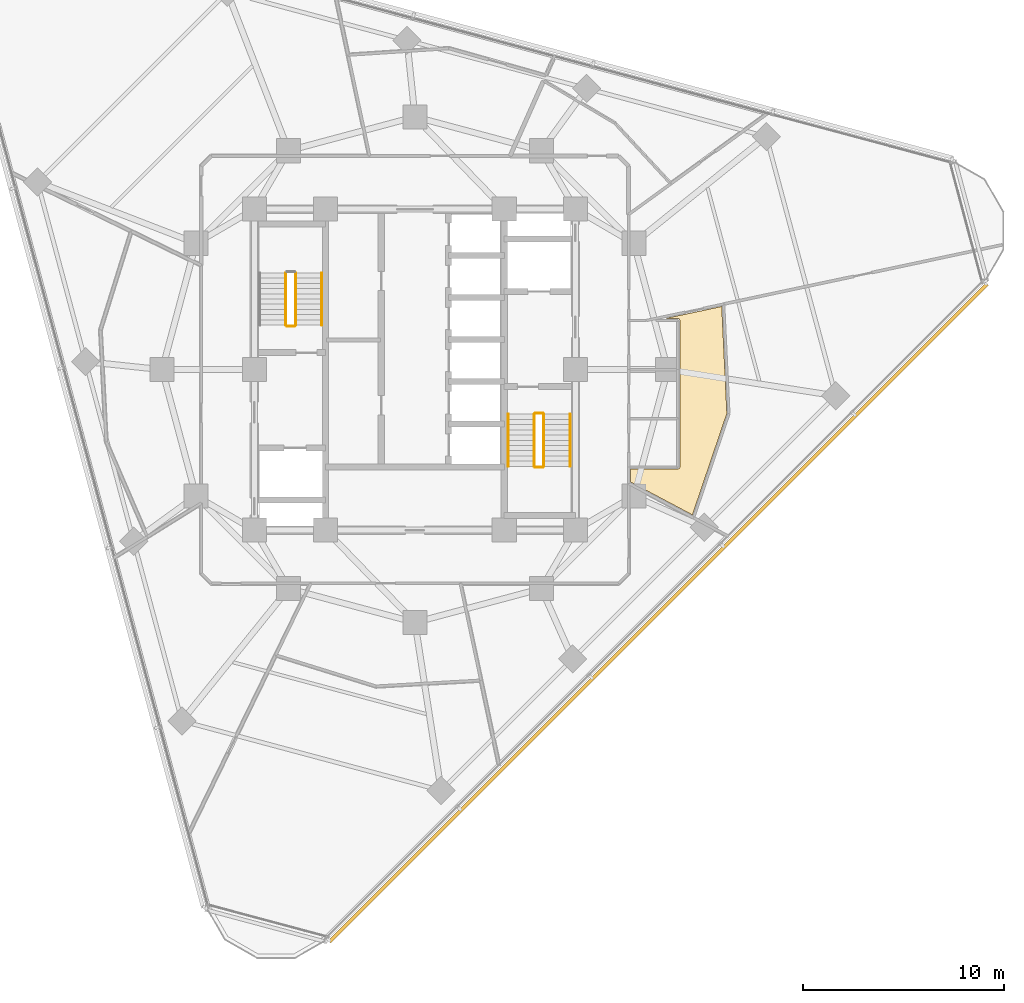
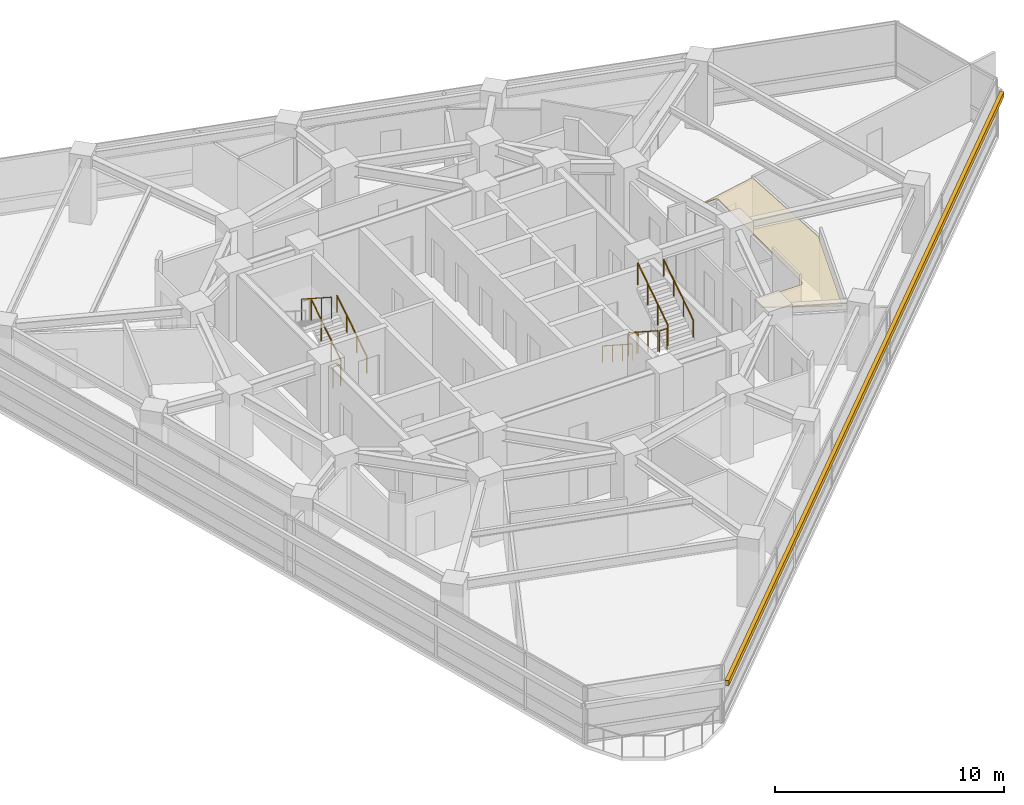
# One storey, part 12 of 14: 10 railings, 1 covering, 1 shading device.
"""IFC4 building model written with IfcOpenShell, lengths in metres."""

from ifc_helpers import new_model, si_unit, direction, frame, origin, origin_2d, place, context, subcontext, project, spatial, polyline, rectangle, circle, outline, extrude, material, layer, layer_set, type_object, element, save


model = new_model("IFC4")

# Units and contexts
model_context = context("Model", 3, precision=1e-05, world=origin(), true_north=direction((0.0, 1.0)))
body_context = subcontext(model_context, "Body", "Model", "MODEL_VIEW")
ifc_project = project(units=[si_unit("LENGTHUNIT", "METRE"), si_unit("AREAUNIT", "SQUARE_METRE"), si_unit("VOLUMEUNIT", "CUBIC_METRE"), si_unit("PLANEANGLEUNIT", "RADIAN"), si_unit("MASSUNIT", "GRAM", prefix="KILO")], contexts=[model_context])

# Site, building, storey
site_placement = place(None, origin())
site = spatial("IfcSite", under=ifc_project, at=site_placement, CompositionType="ELEMENT")
building_placement = place(site_placement, origin())
building = spatial("IfcBuilding", under=site, at=building_placement, Name="Terralouvre Media Tower", CompositionType="ELEMENT")
storey_placement = place(building_placement, frame((0.0, 0.0, 184.199951171875)))
storey = spatial("IfcBuildingStorey", under=building, at=storey_placement, Name="L47", CompositionType="ELEMENT", Elevation=184.199951171875)

# Covering
ifc_material_1 = material(Name="Perforated aluminium acoustic ceiling baffle", Category="aluminium")
ifc_layer_1 = layer(ifc_material_1, 0.0400390625, Name="Perforated Acoustic Metal Tile Ceiling CL-AC1")
ifc_layer_set_1 = layer_set([ifc_layer_1], Name="Perforated aluminium acoustic ceiling baffle")
covering_type = type_object("IfcCoveringType", Name="Perforated Acoustic Metal Tile Ceiling CL-AC1", PredefinedType="CEILING", material=ifc_layer_set_1)
covering_placement = place(storey_placement, frame((0.0, 0.0, 2.97998046875), z_axis=(0.0, 0.0, 1.0), x_axis=(0.707106781187, 0.707106781187, 0.0)))
element("IfcCovering", 1, at=covering_placement, inside=storey, type_object=covering_type, Name="L47 Artist Hospitality Kitchen 6 Acoustic Ceiling", PredefinedType="CEILING", context=body_context, shape_type="SweptSolid", body=[
    extrude(outline(polyline([(9.447265625, -12.537109375), (13.037109375, -8.585693359375), (10.6259765625, -7.019775390625), (11.066162109375, -7.4599609375), (11.07275390625, -7.46728515625), (11.07861328125, -7.47509765625), (11.083740234375, -7.483642578125), (11.087890625, -7.492431640625), (11.091064453125, -7.501708984375), (11.093505859375, -7.51123046875), (11.094970703125, -7.520751953125), (11.095458984375, -7.53076171875), (11.094970703125, -7.54052734375), (11.093505859375, -7.550048828125), (11.091064453125, -7.559814453125), (11.087890625, -7.56884765625), (11.083740234375, -7.577880859375), (11.07861328125, -7.586181640625), (11.07275390625, -7.593994140625), (11.066162109375, -7.601318359375), (5.904296875, -12.76318359375), (5.89697265625, -12.769775390625), (5.88916015625, -12.775634765625), (5.880859375, -12.78076171875), (5.871826171875, -12.784912109375), (5.86279296875, -12.788330078125), (5.85302734375, -12.79052734375), (5.843505859375, -12.7919921875), (5.833740234375, -12.79248046875), (5.82373046875, -12.7919921875), (5.814208984375, -12.79052734375), (5.8046875, -12.788330078125), (5.79541015625, -12.784912109375), (5.786376953125, -12.78076171875), (5.778076171875, -12.775634765625), (5.770263671875, -12.769775390625), (5.762939453125, -12.76318359375), (4.101318359375, -11.1015625), (3.6396484375, -11.563232421875), (4.65966796875, -14.897705078125), (9.447265625, -12.537109375)])), origin(), (0.0, 0.0, 1.0), 0.0400390625),
])

# Railings
ifc_material_2 = material(Name="Stainless steel 316 handrail and balustrade", Category="steel")
ifc_layer_2 = layer(ifc_material_2, 0.050048828125, Name="Stair Flight Wall Handrail HR-INT1")
ifc_layer_set_2 = layer_set([ifc_layer_2], Name="Stainless steel 316 handrail and balustrade")
railing_type_1 = type_object("IfcRailingType", Name="Stair Flight Wall Handrail HR-INT1", PredefinedType="HANDRAIL", material=ifc_layer_set_2)
railing_1_placement = place(storey_placement, frame((-4.64990234375, 2.219970703125, 0.168212890625)))
element("IfcRailing", 2, at=railing_1_placement, inside=storey, type_object=railing_type_1, Name="L47 ST-01 stair handrail 1", PredefinedType="HANDRAIL", context=body_context, shape_type="SweptSolid", body=[
    extrude(circle(Radius=0.02392578125, at=origin_2d()), frame((0.0, 0.0, 0.8759765625), z_axis=(0.0, 0.839648411786, 0.543130320075), x_axis=(-1.0, 0.0, 0.0)), (0.0, 0.0, 1.0), 3.0966796875),
    extrude(circle(Radius=0.02099609375, at=origin_2d()), origin(), (0.0, 0.0, 1.0), 0.851806640625),
    extrude(circle(Radius=0.02099609375, at=origin_2d()), frame((0.0, 0.86669921875, 0.560546875)), (0.0, 0.0, 1.0), 0.851806640625),
    extrude(circle(Radius=0.02099609375, at=origin_2d()), frame((0.0, 1.7333984375, 1.121337890625)), (0.0, 0.0, 1.0), 0.851806640625),
    extrude(circle(Radius=0.02099609375, at=origin_2d()), frame((0.0, 2.60009765625, 1.681884765625)), (0.0, 0.0, 1.0), 0.851806640625),
])
railing_2_placement = place(storey_placement, frame((4.64990234375, -2.219970703125, 0.168212890625)))
element("IfcRailing", 3, at=railing_2_placement, inside=storey, type_object=railing_type_1, Name="L47 ST-02 stair handrail 1", PredefinedType="HANDRAIL", context=body_context, shape_type="SweptSolid", body=[
    extrude(circle(Radius=0.02392578125, at=origin_2d()), frame((0.0, 0.0, 0.8759765625), z_axis=(0.0, -0.839648411786, 0.543130320075), x_axis=(1.0, 0.0, 0.0)), (0.0, 0.0, 1.0), 3.0966796875),
    extrude(circle(Radius=0.02099609375, at=origin_2d()), origin(), (0.0, 0.0, 1.0), 0.851806640625),
    extrude(circle(Radius=0.02099609375, at=origin_2d()), frame((0.0, -0.86669921875, 0.560546875)), (0.0, 0.0, 1.0), 0.851806640625),
    extrude(circle(Radius=0.02099609375, at=origin_2d()), frame((0.0, -1.7333984375, 1.121337890625)), (0.0, 0.0, 1.0), 0.851806640625),
    extrude(circle(Radius=0.02099609375, at=origin_2d()), frame((0.0, -2.60009765625, 1.681884765625)), (0.0, 0.0, 1.0), 0.851806640625),
])
railing_3_placement = place(storey_placement, frame((7.72998046875, -4.820068359375, 2.018310546875)))
element("IfcRailing", 4, at=railing_3_placement, inside=storey, type_object=railing_type_1, Name="L47 ST-02 stair handrail 2", PredefinedType="HANDRAIL", context=body_context, shape_type="SweptSolid", body=[
    extrude(circle(Radius=0.02392578125, at=origin_2d()), frame((0.0, 0.0, 0.8759765625), z_axis=(0.0, 0.839684365666, 0.543074733399), x_axis=(-1.0, 0.0, 0.0)), (0.0, 0.0, 1.0), 3.096435546875),
    extrude(circle(Radius=0.02099609375, at=origin_2d()), origin(), (0.0, 0.0, 1.0), 0.851806640625),
    extrude(circle(Radius=0.02099609375, at=origin_2d()), frame((0.0, 0.86669921875, 0.560546875)), (0.0, 0.0, 1.0), 0.851806640625),
    extrude(circle(Radius=0.02099609375, at=origin_2d()), frame((0.0, 1.7333984375, 1.12109375)), (0.0, 0.0, 1.0), 0.851806640625),
    extrude(circle(Radius=0.02099609375, at=origin_2d()), frame((0.0, 2.60009765625, 1.681640625)), (0.0, 0.0, 1.0), 0.851806640625),
])
ifc_material_3 = material(Name="Stainless steel 316 handrail and balustrade", Category="steel")
ifc_layer_3 = layer(ifc_material_3, 0.050048828125, Name="Stairwell Safety Guardrail GR-INT1")
ifc_layer_set_3 = layer_set([ifc_layer_3], Name="Stainless steel 316 handrail and balustrade")
railing_type_2 = type_object("IfcRailingType", Name="Stairwell Safety Guardrail GR-INT1", PredefinedType="GUARDRAIL", material=ifc_layer_set_3)
railing_4_placement = place(storey_placement, frame((-5.949951171875, 2.219970703125, 0.168212890625)))
element("IfcRailing", 5, at=railing_4_placement, inside=storey, type_object=railing_type_2, Name="L47 ST-01 stair guard 1", PredefinedType="GUARDRAIL", context=body_context, shape_type="SweptSolid", body=[
    extrude(circle(Radius=0.02392578125, at=origin_2d()), frame((0.0, 0.0, 1.1259765625), z_axis=(0.0, 0.839648411786, 0.543130320075), x_axis=(-1.0, 0.0, 0.0)), (0.0, 0.0, 1.0), 3.0966796875),
    extrude(circle(Radius=0.02099609375, at=origin_2d()), origin(), (0.0, 0.0, 1.0), 1.101806640625),
    extrude(circle(Radius=0.02099609375, at=origin_2d()), frame((0.0, 0.86669921875, 0.560546875)), (0.0, 0.0, 1.0), 1.101806640625),
    extrude(circle(Radius=0.02099609375, at=origin_2d()), frame((0.0, 1.7333984375, 1.121337890625)), (0.0, 0.0, 1.0), 1.101806640625),
    extrude(circle(Radius=0.02099609375, at=origin_2d()), frame((0.0, 2.60009765625, 1.681884765625)), (0.0, 0.0, 1.0), 1.101806640625),
])
railing_5_placement = place(storey_placement, frame((-6.429931640625, 4.820068359375, 2.018310546875)))
element("IfcRailing", 6, at=railing_5_placement, inside=storey, type_object=railing_type_2, Name="L47 ST-01 stair guard 3", PredefinedType="GUARDRAIL", context=body_context, shape_type="SweptSolid", body=[
    extrude(circle(Radius=0.02392578125, at=origin_2d()), frame((0.0, 0.0, 1.1259765625), z_axis=(0.0, -0.839684365666, 0.543074733399), x_axis=(1.0, 0.0, 0.0)), (0.0, 0.0, 1.0), 3.096435546875),
    extrude(circle(Radius=0.02099609375, at=origin_2d()), origin(), (0.0, 0.0, 1.0), 1.101806640625),
    extrude(circle(Radius=0.02099609375, at=origin_2d()), frame((0.0, -0.86669921875, 0.560546875)), (0.0, 0.0, 1.0), 1.101806640625),
    extrude(circle(Radius=0.02099609375, at=origin_2d()), frame((0.0, -1.7333984375, 1.12109375)), (0.0, 0.0, 1.0), 1.101806640625),
    extrude(circle(Radius=0.02099609375, at=origin_2d()), frame((0.0, -2.60009765625, 1.681640625)), (0.0, 0.0, 1.0), 1.101806640625),
])
railing_6_placement = place(storey_placement, frame((-6.0, 2.169921875, 0.0)))
element("IfcRailing", 7, at=railing_6_placement, inside=storey, type_object=railing_type_2, Name="L47 ST-01 stair guard 4", PredefinedType="GUARDRAIL", context=body_context, shape_type="SweptSolid", body=[
    extrude(circle(Radius=0.02392578125, at=origin_2d()), frame((0.0, 0.0, 1.1259765625), z_axis=(-1.0, 0.0, 0.0), x_axis=(0.0, -1.0, 0.0)), (0.0, 0.0, 1.0), 0.3798828125),
    extrude(circle(Radius=0.02099609375, at=origin_2d()), origin(), (0.0, 0.0, 1.0), 1.101806640625),
    extrude(circle(Radius=0.02099609375, at=origin_2d()), frame((-0.3798828125, 0.0, 0.0)), (0.0, 0.0, 1.0), 1.101806640625),
])
railing_7_placement = place(storey_placement, frame((5.949951171875, -2.219970703125, 0.168212890625)))
element("IfcRailing", 8, at=railing_7_placement, inside=storey, type_object=railing_type_2, Name="L47 ST-02 stair guard 1", PredefinedType="GUARDRAIL", context=body_context, shape_type="SweptSolid", body=[
    extrude(circle(Radius=0.02392578125, at=origin_2d()), frame((0.0, 0.0, 1.1259765625), z_axis=(0.0, -0.839648411786, 0.543130320075), x_axis=(1.0, 0.0, 0.0)), (0.0, 0.0, 1.0), 3.0966796875),
    extrude(circle(Radius=0.02099609375, at=origin_2d()), origin(), (0.0, 0.0, 1.0), 1.101806640625),
    extrude(circle(Radius=0.02099609375, at=origin_2d()), frame((0.0, -0.86669921875, 0.560546875)), (0.0, 0.0, 1.0), 1.101806640625),
    extrude(circle(Radius=0.02099609375, at=origin_2d()), frame((0.0, -1.7333984375, 1.121337890625)), (0.0, 0.0, 1.0), 1.101806640625),
    extrude(circle(Radius=0.02099609375, at=origin_2d()), frame((0.0, -2.60009765625, 1.681884765625)), (0.0, 0.0, 1.0), 1.101806640625),
])
railing_8_placement = place(storey_placement, frame((6.0, -4.8701171875, 1.85009765625)))
element("IfcRailing", 9, at=railing_8_placement, inside=storey, type_object=railing_type_2, Name="L47 ST-02 stair guard 2", PredefinedType="GUARDRAIL", context=body_context, shape_type="SweptSolid", body=[
    extrude(circle(Radius=0.02392578125, at=origin_2d()), frame((0.0, 0.0, 1.1259765625), z_axis=(1.0, 0.0, 0.0), x_axis=(0.0, 1.0, 0.0)), (0.0, 0.0, 1.0), 0.3798828125),
    extrude(circle(Radius=0.02099609375, at=origin_2d()), origin(), (0.0, 0.0, 1.0), 1.101806640625),
    extrude(circle(Radius=0.02099609375, at=origin_2d()), frame((0.3798828125, 0.0, 0.0)), (0.0, 0.0, 1.0), 1.101806640625),
])
railing_9_placement = place(storey_placement, frame((6.429931640625, -4.820068359375, 2.018310546875)))
element("IfcRailing", 10, at=railing_9_placement, inside=storey, type_object=railing_type_2, Name="L47 ST-02 stair guard 3", PredefinedType="GUARDRAIL", context=body_context, shape_type="SweptSolid", body=[
    extrude(circle(Radius=0.02392578125, at=origin_2d()), frame((0.0, 0.0, 1.1259765625), z_axis=(0.0, 0.839684365666, 0.543074733399), x_axis=(-1.0, 0.0, 0.0)), (0.0, 0.0, 1.0), 3.096435546875),
    extrude(circle(Radius=0.02099609375, at=origin_2d()), origin(), (0.0, 0.0, 1.0), 1.101806640625),
    extrude(circle(Radius=0.02099609375, at=origin_2d()), frame((0.0, 0.86669921875, 0.560546875)), (0.0, 0.0, 1.0), 1.101806640625),
    extrude(circle(Radius=0.02099609375, at=origin_2d()), frame((0.0, 1.7333984375, 1.12109375)), (0.0, 0.0, 1.0), 1.101806640625),
    extrude(circle(Radius=0.02099609375, at=origin_2d()), frame((0.0, 2.60009765625, 1.681640625)), (0.0, 0.0, 1.0), 1.101806640625),
])
railing_10_placement = place(storey_placement, frame((6.0, -2.169921875, 0.0)))
element("IfcRailing", 11, at=railing_10_placement, inside=storey, type_object=railing_type_2, Name="L47 ST-02 stair guard 4", PredefinedType="GUARDRAIL", context=body_context, shape_type="SweptSolid", body=[
    extrude(circle(Radius=0.02392578125, at=origin_2d()), frame((0.0, 0.0, 1.1259765625), z_axis=(1.0, 0.0, 0.0), x_axis=(0.0, 1.0, 0.0)), (0.0, 0.0, 1.0), 0.3798828125),
    extrude(circle(Radius=0.02099609375, at=origin_2d()), origin(), (0.0, 0.0, 1.0), 1.101806640625),
    extrude(circle(Radius=0.02099609375, at=origin_2d()), frame((0.3798828125, 0.0, 0.0)), (0.0, 0.0, 1.0), 1.101806640625),
])

# Shading device
ifc_material_4 = material(Name="Extruded terracotta baguette sunshade louvres", Category="masonry")
shading_device_type = type_object("IfcShadingDeviceType", Name="Terracotta Baguette Sunshade Louvre Screen TB-LV1", PredefinedType="USERDEFINED", material=ifc_material_4)
shading_device_placement = place(storey_placement, frame((12.121826171875, -12.121826171875, 2.02392578125), z_axis=(0.0, 0.0, 1.0), x_axis=(0.707106781187, 0.707106781187, 0.0)))
element("IfcShadingDevice", 12, at=shading_device_placement, inside=storey, type_object=shading_device_type, Name="CW-L47-F0 Terracotta Baguette Sunshade Louvre", ObjectType="BAGUETTE", PredefinedType="USERDEFINED", context=body_context, shape_type="SweptSolid", body=[
    extrude(rectangle(XDim=46.360107421875, YDim=0.179931640625, at=origin_2d()), origin(), (0.0, 0.0, 1.0), 0.280029296875),
])

save(model, "model.ifc")
